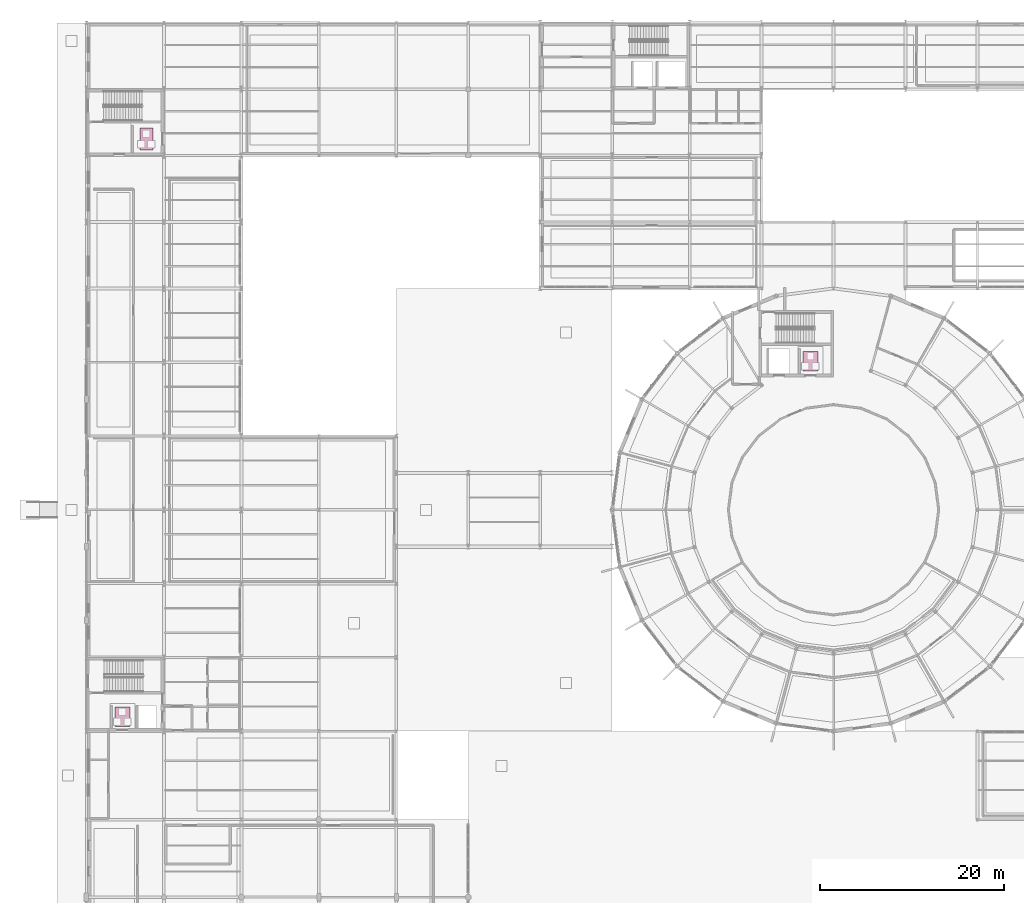
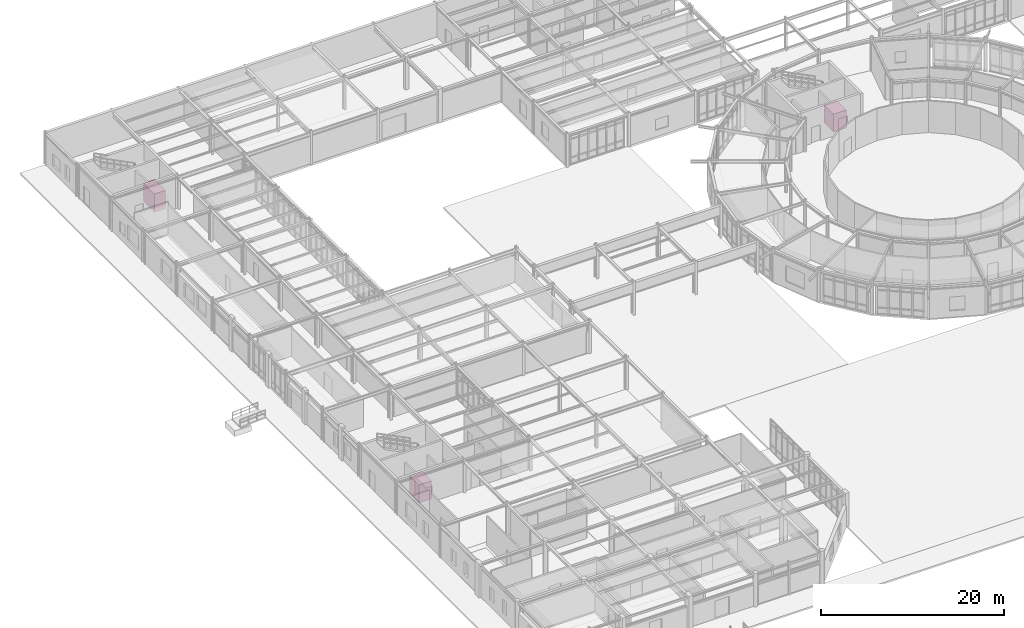
# One storey, part 101 of 101: 3 transport elements.
"""IFC4 building model written with IfcOpenShell, lengths in metres."""

from ifc_helpers import new_model, si_unit, derived_unit, direction, frame, origin, origin_2d, place, context, subcontext, project, spatial, rectangle, extrude, material, type_object, element, save


model = new_model("IFC4")

# Units and contexts
model_context = context("Model", 3, precision=1e-05, world=origin(), true_north=direction((0.0, 1.0)))
body_context = subcontext(model_context, "Body", "Model", "MODEL_VIEW")
ifc_project = project(units=[si_unit("LENGTHUNIT", "METRE"), si_unit("AREAUNIT", "SQUARE_METRE"), si_unit("VOLUMEUNIT", "CUBIC_METRE"), si_unit("PLANEANGLEUNIT", "RADIAN"), si_unit("MASSUNIT", "GRAM", prefix="KILO"), derived_unit("THERMALTRANSMITTANCEUNIT", [(si_unit("POWERUNIT", "WATT"), 1), (si_unit("AREAUNIT", "SQUARE_METRE"), -1), (si_unit("THERMODYNAMICTEMPERATUREUNIT", "KELVIN"), -1)])], contexts=[model_context])

# Site, building, storey
site_placement = place(None, origin())
site = spatial("IfcSite", under=ifc_project, at=site_placement, CompositionType="ELEMENT")
building_placement = place(site_placement, origin())
building = spatial("IfcBuilding", under=site, at=building_placement, Name="Yasenodar Specialist Clinic", CompositionType="ELEMENT")
storey_placement = place(building_placement, origin())
storey = spatial("IfcBuildingStorey", under=building, at=storey_placement, Name="L00", CompositionType="ELEMENT", Elevation=0.0)

# Transport elements
ifc_material_1 = material(Name="Stainless Steel Hospital Bed Lift Car", Category="steel")
transport_element_type_1 = type_object("IfcTransportElementType", Name="LFT-BED-1600", PredefinedType="ELEVATOR", material=ifc_material_1)
transport_element_placement = place(storey_placement, frame((6.5, 99.0, 0.0), z_axis=(0.0, 0.0, 1.0), x_axis=(1.0, 0.0, 0.0)))
element("IfcTransportElement", 1, at=transport_element_placement, inside=storey, type_object=transport_element_type_1, Name="Lift LF-03 Car", PredefinedType="ELEVATOR", context=body_context, shape_type="SweptSolid", body=[
    extrude(rectangle(XDim=1.39990234375, YDim=2.39990234375, at=origin_2d()), origin(), (0.0, 0.0, 1.0), 2.39990234375),
])
ifc_material_2 = material(Name="Stainless Steel Accessible Passenger Lift Car", Category="steel")
transport_element_type_2 = type_object("IfcTransportElementType", Name="LFT-PAX-1050", PredefinedType="ELEVATOR", material=ifc_material_2)
for number, where, z_axis, x_axis, name in (
    (2, (3.89990234375, 36.35009765625, 0.0), (0.0, 0.0, 1.0), (1.0, 0.0, 0.0), "Lift LF-05 Car"),
    (3, (78.5, 74.89990234375, 0.0), (0.0, 0.0, 1.0), (1.0, 0.0, 0.0), "Lift LF-07 Car"),
):
    element("IfcTransportElement", number, at=place(storey_placement, frame(where, z_axis=z_axis, x_axis=x_axis)), inside=storey, type_object=transport_element_type_2, Name=name, PredefinedType="ELEVATOR", context=body_context, shape_type="SweptSolid", body=[
        extrude(rectangle(XDim=1.60009765625, YDim=2.10009765625, at=origin_2d()), origin(), (0.0, 0.0, 1.0), 2.39990234375),
    ])

save(model, "model.ifc")
